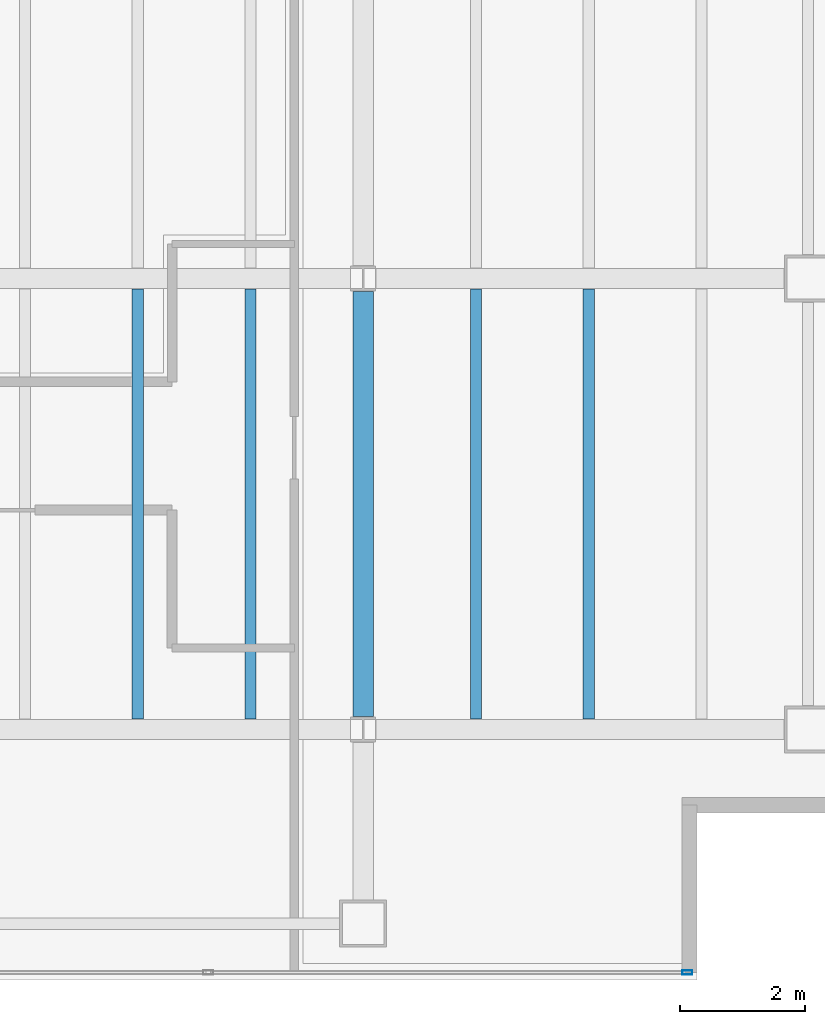
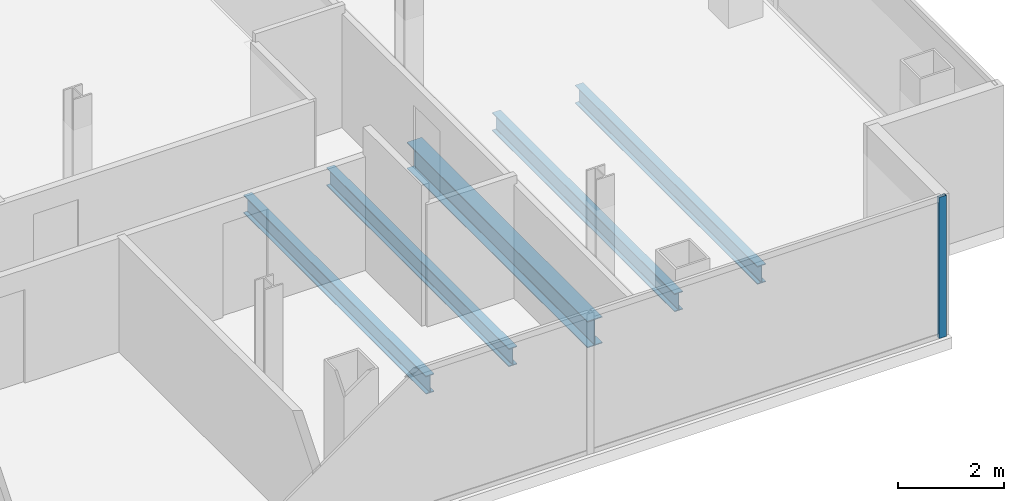
# One storey, part 11 of 23: 5 beams, 1 member, 1 element without a shape of its own.
"""IFC4 building model written with IfcOpenShell, lengths in metres."""

from ifc_helpers import new_model, si_unit, direction, frame, origin, origin_2d, place, context, subcontext, project, spatial, hollow_rectangle, i_section, extrude, material, material_profile, profile_set, type_object, element, aggregate, save


model = new_model("IFC4")

# Units and contexts
model_context = context("Model", 3, precision=1e-05, world=origin(), true_north=direction((0.0, 1.0)))
body_context = subcontext(model_context, "Body", "Model", "MODEL_VIEW")
ifc_project = project(units=[si_unit("LENGTHUNIT", "METRE"), si_unit("AREAUNIT", "SQUARE_METRE"), si_unit("VOLUMEUNIT", "CUBIC_METRE"), si_unit("PLANEANGLEUNIT", "RADIAN"), si_unit("MASSUNIT", "GRAM", prefix="KILO")], contexts=[model_context])

# Site, building, storey
site_placement = place(None, origin())
site = spatial("IfcSite", under=ifc_project, at=site_placement, CompositionType="ELEMENT")
building_placement = place(site_placement, origin())
building = spatial("IfcBuilding", under=site, at=building_placement, Name="Cobrela Telecom Tower", CompositionType="ELEMENT")
storey_placement = place(building_placement, frame((0.0, 0.0, 218.75)))
storey = spatial("IfcBuildingStorey", under=building, at=storey_placement, Name="L56", CompositionType="ELEMENT", Elevation=218.75)

# Beams
ifc_material_1 = material(Name="Steel ASTM A992 Grade 50", Category="steel")
ifc_material_profile_1 = material_profile(ifc_material_1, i_section(OverallWidth=0.324951171875, OverallDepth=0.612060546875, WebThickness=0.0126953125, FlangeThickness=0.01904296875, FilletRadius=0.014892578125, at=origin_2d()), Name="W24X104")
ifc_profile_set_1 = profile_set([ifc_material_profile_1], Name="Steel ASTM A992 Grade 50")
beam_type_1 = type_object("IfcBeamType", Name="BM-GIRD-07", PredefinedType="USERDEFINED", material=ifc_profile_set_1)
beam_placement = place(storey_placement, frame((36.0, 7.404541015625, -0.56591796875), z_axis=(0.0, 1.0, 0.0), x_axis=(-1.0, 0.0, 0.0)))
element("IfcBeam", 1, at=beam_placement, inside=storey, type_object=beam_type_1, Name="L56 Primary Girder Y40", ObjectType="GIRDER", PredefinedType="USERDEFINED", context=body_context, shape_type="SweptSolid", body=[
    extrude(i_section(OverallWidth=0.324951171875, OverallDepth=0.612060546875, WebThickness=0.0126953125, FlangeThickness=0.01904296875, FilletRadius=0.014892578125, at=origin_2d()), origin(), (0.0, 0.0, 1.0), 6.791015625),
])
ifc_material_profile_2 = material_profile(ifc_material_1, i_section(OverallWidth=0.179931640625, OverallDepth=0.4169921875, WebThickness=0.010986328125, FlangeThickness=0.01806640625, FilletRadius=0.011962890625, at=origin_2d()), Name="W16X57")
ifc_profile_set_2 = profile_set([ifc_material_profile_2], Name="Steel ASTM A992 Grade 50")
beam_type_2 = type_object("IfcBeamType", Name="BM-JOIST-04", PredefinedType="JOIST", material=ifc_profile_set_2)
for number, where, z_axis, x_axis, name in (
    (2, (32.39990234375, 7.367431640625, -0.468505859375), (0.0, 1.0, 0.0), (-1.0, 0.0, 0.0), "L56 Secondary Composite Floor Beam J21"),
    (3, (34.199951171875, 7.367431640625, -0.468505859375), (0.0, 1.0, 0.0), (-1.0, 0.0, 0.0), "L56 Secondary Composite Floor Beam J23"),
    (4, (37.800048828125, 7.367431640625, -0.468505859375), (0.0, 1.0, 0.0), (-1.0, 0.0, 0.0), "L56 Secondary Composite Floor Beam J25"),
    (5, (39.60009765625, 7.367431640625, -0.468505859375), (0.0, 1.0, 0.0), (-1.0, 0.0, 0.0), "L56 Secondary Composite Floor Beam J27"),
):
    element("IfcBeam", number, at=place(storey_placement, frame(where, z_axis=z_axis, x_axis=x_axis)), inside=storey, type_object=beam_type_2, Name=name, PredefinedType="JOIST", context=body_context, shape_type="SweptSolid", body=[
        extrude(i_section(OverallWidth=0.179931640625, OverallDepth=0.4169921875, WebThickness=0.010986328125, FlangeThickness=0.01806640625, FilletRadius=0.011962890625, at=origin_2d()), origin(), (0.0, 0.0, 1.0), 6.864990234375),
    ])

# Curtain wall, member
ifc_material_2 = material(Name="Anodized Bronze Aluminium 6063-T6", Category="aluminium")
curtain_wall_type = type_object("IfcCurtainWallType", Name="CW-SYS-OFF-LO", PredefinedType="USERDEFINED", material=ifc_material_2)
curtain_wall_placement = place(storey_placement, origin())
curtain_wall = element("IfcCurtainWall", 6, at=curtain_wall_placement, inside=storey, type_object=curtain_wall_type, Name="L56 Unitised Bronze Curtain Wall 17", ObjectType="UNITISED CURTAIN WALL", PredefinedType="USERDEFINED")
ifc_material_profile_3 = material_profile(ifc_material_2, hollow_rectangle(XDim=0.070068359375, YDim=0.159912109375, WallThickness=0.00390625, at=origin_2d()), Name="ALU 70x160x4")
ifc_profile_set_3 = profile_set([ifc_material_profile_3], Name="Anodized Bronze Aluminium 6063-T6")
member_type = type_object("IfcMemberType", Name="CW-SYS-OFF-LO-MUL", PredefinedType="MULLION", material=ifc_profile_set_3)
member_placement = place(storey_placement, frame((41.175048828125, 3.320068359375, 0.0), z_axis=(0.0, 0.0, 1.0), x_axis=(0.0, -1.0, 0.0)))
member = element("IfcMember", 7, at=member_placement, type_object=member_type, Name="CW-OFF-LO mullion 1", PredefinedType="MULLION", context=body_context, shape_type="SweptSolid", body=[
    extrude(hollow_rectangle(XDim=0.070068359375, YDim=0.159912109375, WallThickness=0.00390625, at=origin_2d()), origin(), (0.0, 0.0, 1.0), 3.239990234375),
])
aggregate(curtain_wall, [member])

save(model, "model.ifc")
